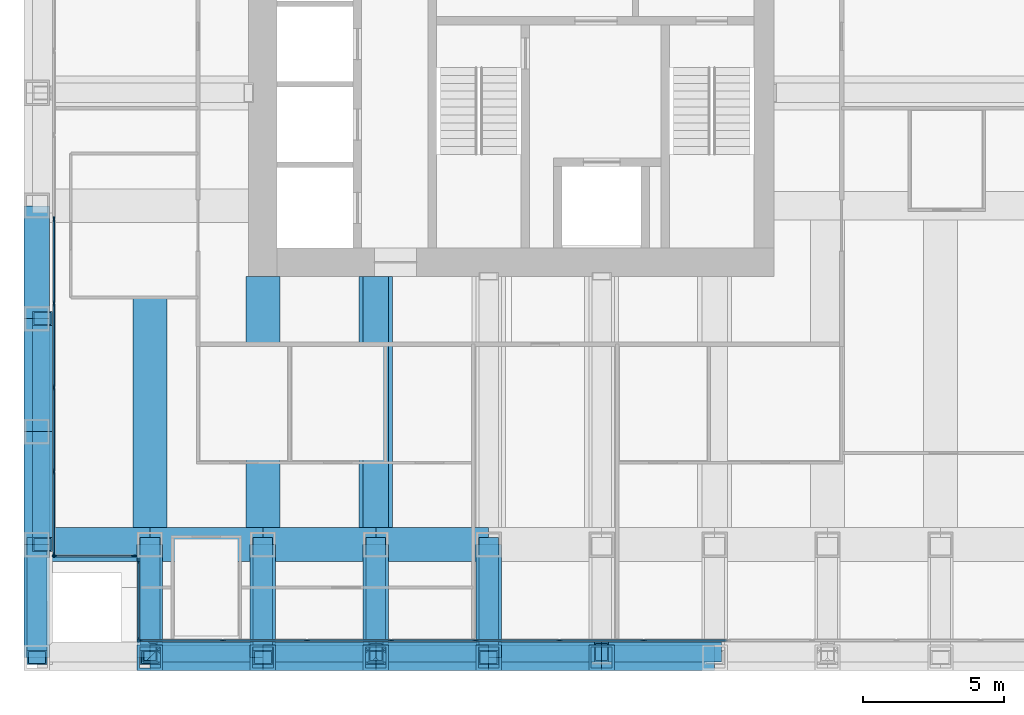
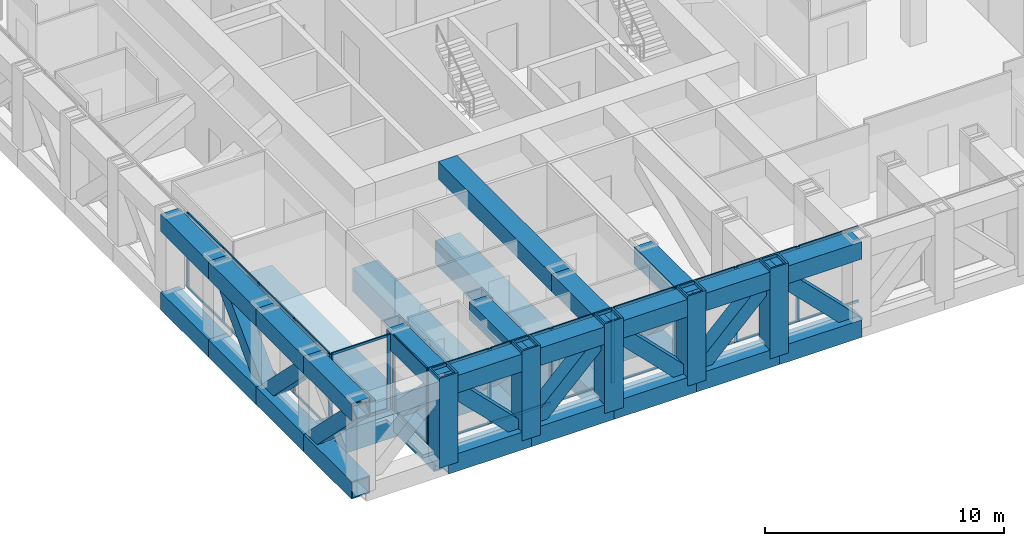
# One storey, part 2 of 17: 59 members, 34 beams, 4 elements without a shape of their own.
"""IFC4 building model written with IfcOpenShell, lengths in metres."""

import ifcopenshell
import ifcopenshell.guid

model = None  # the IFC model being written
_history = None  # IfcOwnerHistory: only IFC2X3 demands one
_inside = {}  # id of a spatial element -> (the spatial element, [elements in it])
_under = {}  # id of a project, library or spatial element -> (it, [spatial elements below it])
_declared = {}  # id of a project -> (the project, [libraries it declares])
_typed = {}  # id of a type object -> (the type object, [elements of that type])
_made_of = {}  # id of a material, layer set ... -> (it, [elements and type objects made of it])


def new_model(schema):
    """Start an empty IFC model of exactly this schema.

    Asked for "IFC4X3", IfcOpenShell would pick the latest addendum, in which some entities
    have other attributes; the version numbers below select the first issue.
    IFC2X3 requires an IfcOwnerHistory on every rooted entity: one is made here for all.
    """
    global model, _history
    if schema == "IFC4X3":
        model = ifcopenshell.file(schema_version=(4, 3, 0, 0))
    else:
        model = ifcopenshell.file(schema=schema)
    _inside.clear()
    _under.clear()
    _declared.clear()
    _typed.clear()
    _made_of.clear()
    _history = None
    if model.schema == "IFC2X3":
        org = make("IfcOrganization", Name="unknown")
        user = make(
            "IfcPersonAndOrganization",
            ThePerson=make("IfcPerson", FamilyName="unknown"),
            TheOrganization=org,
        )
        app = make(
            "IfcApplication",
            ApplicationDeveloper=org,
            Version="unknown",
            ApplicationFullName="unknown",
            ApplicationIdentifier="unknown",
        )
        _history = make(
            "IfcOwnerHistory",
            OwningUser=user,
            OwningApplication=app,
            ChangeAction="ADDED",
            CreationDate=0,
        )
    return model


def make(cls, **values):
    """One entity of the class cls with the attributes given. An attribute that is None is left unset."""
    return model.create_entity(
        cls, **{name: value for name, value in values.items() if value is not None}
    )


def rooted(cls, **values):
    """An entity with a GlobalId (a new one), such as an element, a storey or a relation."""
    return make(cls, GlobalId=ifcopenshell.guid.new(), OwnerHistory=_history, **values)


def si_unit(unit_type, name, prefix=None):
    """IfcSIUnit, for example si_unit("LENGTHUNIT", "METRE", prefix="MILLI")."""
    return make("IfcSIUnit", UnitType=unit_type, Prefix=prefix, Name=name)


def assignment(units):
    """IfcUnitAssignment: the units of a project."""
    return None if units is None else make("IfcUnitAssignment", Units=units)


def point(xyz):
    """IfcCartesianPoint."""
    return None if xyz is None else make("IfcCartesianPoint", Coordinates=xyz)


def direction(xyz):
    """IfcDirection."""
    return None if xyz is None else make("IfcDirection", DirectionRatios=xyz)


def frame(location, z_axis=None, x_axis=None):
    """IfcAxis2Placement3D, a coordinate frame: its origin and axes. An axis left out is left unset."""
    return make(
        "IfcAxis2Placement3D",
        Location=point(location),
        Axis=direction(z_axis),
        RefDirection=direction(x_axis),
    )


def frame_2d(location, x_axis=None):
    """IfcAxis2Placement2D, a coordinate frame in the plane: its origin and x axis."""
    return make(
        "IfcAxis2Placement2D", Location=point(location), RefDirection=direction(x_axis)
    )


def origin():
    """The frame at (0, 0, 0) with its axes left unset."""
    return frame((0.0, 0.0, 0.0))


def origin_2d():
    """The frame at (0, 0) in the plane with its x axis left unset."""
    return frame_2d((0.0, 0.0))


def place(relative_to, where):
    """IfcLocalPlacement: puts the frame where relative to a parent placement (None: the world)."""
    return make(
        "IfcLocalPlacement", PlacementRelTo=relative_to, RelativePlacement=where
    )


def context(
    kind, dimensions, precision=None, world=None, true_north=None, identifier=None
):
    """IfcGeometricRepresentationContext, for example the 3D "Model" context."""
    return make(
        "IfcGeometricRepresentationContext",
        ContextIdentifier=identifier,
        ContextType=kind,
        CoordinateSpaceDimension=dimensions,
        Precision=precision,
        WorldCoordinateSystem=world,
        TrueNorth=true_north,
    )


def subcontext(parent, identifier, kind, view, scale=None):
    """IfcGeometricRepresentationSubContext, for example "Body" below "Model"."""
    return make(
        "IfcGeometricRepresentationSubContext",
        ContextIdentifier=identifier,
        ContextType=kind,
        ParentContext=parent,
        TargetScale=scale,
        TargetView=view,
    )


def project(units=None, contexts=None):
    """IfcProject with its units and contexts."""
    return rooted(
        "IfcProject",
        Name="project",
        RepresentationContexts=contexts,
        UnitsInContext=assignment(units),
    )


def spatial(cls, under=None, at=None, **own):
    """A site, building, storey or space (cls), placed at a placement, below another one or the project."""
    s = rooted(cls, ObjectPlacement=at, **own)
    if under is not None:
        _under.setdefault(under.id(), (under, []))[1].append(s)
    return s


def profile(cls, at=None, kind="AREA", **sizes):
    """A parametric profile (cls). Its sizes go by their IFC names, for example OverallWidth=200.0."""
    return make(cls, ProfileType=kind, Position=at, **sizes)


def rectangle(**sizes):
    """IfcRectangleProfileDef."""
    return profile("IfcRectangleProfileDef", **sizes)


def hollow_rectangle(**sizes):
    """IfcRectangleHollowProfileDef."""
    return profile("IfcRectangleHollowProfileDef", **sizes)


def extrude(swept, where, along, depth):
    """IfcExtrudedAreaSolid: the profile swept, set in the frame where, extruded along a direction by depth."""
    return make(
        "IfcExtrudedAreaSolid",
        SweptArea=swept,
        Position=where,
        ExtrudedDirection=direction(along),
        Depth=depth,
    )


def shape(context_of_items, identifier, shape_type, items):
    """IfcShapeRepresentation: the items that make up one representation, for example the "Body"."""
    return make(
        "IfcShapeRepresentation",
        ContextOfItems=context_of_items,
        RepresentationIdentifier=identifier,
        RepresentationType=shape_type,
        Items=items,
    )


def material(Name=None, Category=None):
    """IfcMaterial."""
    return make("IfcMaterial", Name=Name, Category=Category)


def material_profile(
    of_material, cross_section, Name=None, Category=None, Priority=None
):
    """IfcMaterialProfile: a cross section and its material."""
    return make(
        "IfcMaterialProfile",
        Name=Name,
        Material=of_material,
        Profile=cross_section,
        Priority=Priority,
        Category=Category,
    )


def profile_set(profiles, Name=None, composite=None):
    """IfcMaterialProfileSet."""
    return make(
        "IfcMaterialProfileSet",
        Name=Name,
        MaterialProfiles=profiles,
        CompositeProfile=composite,
    )


def made_of(thing, what):
    """Note that an element or type object is made of a material, layer set ...; save() writes the relation."""
    if what is not None:
        _made_of.setdefault(what.id(), (what, []))[1].append(thing)
    return thing


def type_object(cls, material=None, **own):
    """A type object (cls), such as IfcWallType, which elements share."""
    return made_of(rooted(cls, **own), material)


def element(
    cls,
    number,
    at=None,
    inside=None,
    cuts=None,
    type_object=None,
    material=None,
    context=None,
    identifier="Body",
    shape_type=None,
    held_by="IfcProductDefinitionShape",
    body=None,
    shapes=None,
    **own,
):
    """One element of the class cls, such as IfcWall. Its Tag is "e" and its number.

    at: its placement. inside: the storey or other place that contains it. cuts: it is an
    opening in that element (IfcRelVoidsElement). A single representation is given by context,
    identifier, shape_type and body (its items); several are given by shapes. held_by: the class
    of the entity that holds the representations. save() writes the other relations.
    """
    e = rooted(cls, Tag="e%d" % number, ObjectPlacement=at, **own)
    if body is not None:
        shapes = [shape(context, identifier, shape_type, body)]
    if shapes is not None:
        e.Representation = make(held_by, Representations=shapes)
    if inside is not None:
        _inside.setdefault(inside.id(), (inside, []))[1].append(e)
    if cuts is not None:
        rooted(
            "IfcRelVoidsElement", RelatingBuildingElement=cuts, RelatedOpeningElement=e
        )
    if type_object is not None:
        _typed.setdefault(type_object.id(), (type_object, []))[1].append(e)
    return made_of(e, material)


def aggregate(whole, parts):
    """IfcRelAggregates: a whole, such as a stair, and the parts it consists of."""
    return rooted("IfcRelAggregates", RelatingObject=whole, RelatedObjects=parts)


def save(model, path):
    """Write the relations noted so far, then the file.

    IfcRelAggregates (storeys below a building ...), IfcRelContainedInSpatialStructure (elements
    in a storey), IfcRelDefinesByType, IfcRelAssociatesMaterial and IfcRelDeclares: one each for
    every whole, place, type object, material and project.
    """
    for whole, parts in _under.values():
        aggregate(whole, parts)
    for where, things in _inside.values():
        rooted(
            "IfcRelContainedInSpatialStructure",
            RelatedElements=things,
            RelatingStructure=where,
        )
    for kind, things in _typed.values():
        rooted("IfcRelDefinesByType", RelatedObjects=things, RelatingType=kind)
    for what, things in _made_of.values():
        rooted("IfcRelAssociatesMaterial", RelatedObjects=things, RelatingMaterial=what)
    for by, libraries in _declared.values():
        rooted("IfcRelDeclares", RelatingContext=by, RelatedDefinitions=libraries)
    model.write(path)


model = new_model("IFC4")

# Units and contexts
model_context = context("Model", 3, precision=1e-05, world=origin(), true_north=direction((0.0, 1.0)))
body_context = subcontext(model_context, "Body", "Model", "MODEL_VIEW")
ifc_project = project(units=[si_unit("LENGTHUNIT", "METRE"), si_unit("AREAUNIT", "SQUARE_METRE"), si_unit("VOLUMEUNIT", "CUBIC_METRE"), si_unit("PLANEANGLEUNIT", "RADIAN"), si_unit("MASSUNIT", "GRAM", prefix="KILO")], contexts=[model_context])

# Site, building, storey
site_placement = place(None, origin())
site = spatial("IfcSite", under=ifc_project, at=site_placement, CompositionType="ELEMENT")
building_placement = place(site_placement, origin())
building = spatial("IfcBuilding", under=site, at=building_placement, Name="Rimbunsela Tower", CompositionType="ELEMENT")
storey_placement = place(building_placement, frame((0.0, 0.0, 238.199951171875)))
storey = spatial("IfcBuildingStorey", under=building, at=storey_placement, Name="L57", CompositionType="ELEMENT", Elevation=238.199951171875)

# Beams
ifc_material_1 = material(Name="Steel BJ 55 (fy 410 MPa)", Category="steel")
ifc_material_profile_1 = material_profile(ifc_material_1, hollow_rectangle(XDim=1.199951171875, YDim=1.199951171875, WallThickness=0.10009765625, at=origin_2d()), Name="BOX 1200x1200x100")
ifc_profile_set_1 = profile_set([ifc_material_profile_1], Name="Steel BJ 55 (fy 410 MPa)")
beam_type_1 = type_object("IfcBeamType", Name="Beam BOX 1200x1200x100", PredefinedType="BEAM", material=ifc_profile_set_1)
for number, where, z_axis, x_axis, name in (
    (1, (18.0, 8.0, -0.75), (0.0, 1.0, 0.0), (-1.0, 0.0, 0.0), "Beam B5 L57"),
    (2, (22.0, 8.0, -0.75), (0.0, 1.0, 0.0), (-1.0, 0.0, 0.0), "Beam B5 L57"),
):
    element("IfcBeam", number, at=place(storey_placement, frame(where, z_axis=z_axis, x_axis=x_axis)), inside=storey, type_object=beam_type_1, Name=name, PredefinedType="BEAM", context=body_context, shape_type="SweptSolid", body=[
        extrude(hollow_rectangle(XDim=1.199951171875, YDim=1.199951171875, WallThickness=0.10009765625, at=origin_2d()), origin(), (0.0, 0.0, 1.0), 9.5),
    ])
ifc_material_2 = material(Name="Steel BJ 55 (fy 410 MPa)", Category="steel")
ifc_material_profile_2 = material_profile(ifc_material_2, hollow_rectangle(XDim=1.199951171875, YDim=1.199951171875, WallThickness=0.125, at=origin_2d()), Name="BOX 1200x1200x125")
ifc_profile_set_2 = profile_set([ifc_material_profile_2], Name="Steel BJ 55 (fy 410 MPa)")
beam_type_2 = type_object("IfcBeamType", Name="Beam BOX 1200x1200x125", PredefinedType="BEAM", material=ifc_profile_set_2)
beam_1_placement = place(storey_placement, frame((10.0, 8.0, -0.75), z_axis=(1.0, 0.0, 0.0), x_axis=(0.0, 1.0, 0.0)))
element("IfcBeam", 3, at=beam_1_placement, inside=storey, type_object=beam_type_2, Name="Beam B4 L57", PredefinedType="BEAM", context=body_context, shape_type="SweptSolid", body=[
    extrude(hollow_rectangle(XDim=1.199951171875, YDim=1.199951171875, WallThickness=0.125, at=origin_2d()), origin(), (0.0, 0.0, 1.0), 4.0),
])
beam_2_placement = place(storey_placement, frame((14.0, 8.0, -0.75), z_axis=(0.0, 1.0, 0.0), x_axis=(-1.0, 0.0, 0.0)))
element("IfcBeam", 4, at=beam_2_placement, inside=storey, type_object=beam_type_2, Name="Beam B4 L57", PredefinedType="BEAM", context=body_context, shape_type="SweptSolid", body=[
    extrude(hollow_rectangle(XDim=1.199951171875, YDim=1.199951171875, WallThickness=0.125, at=origin_2d()), origin(), (0.0, 0.0, 1.0), 11.39990234375),
])
for number, where, z_axis, x_axis, name in (
    (5, (14.0, 8.0, -0.75), (1.0, 0.0, 0.0), (0.0, 1.0, 0.0), "Beam B4 L57"),
    (6, (18.0, 8.0, -0.75), (1.0, 0.0, 0.0), (0.0, 1.0, 0.0), "Beam B4 L57"),
    (7, (22.0, 8.0, -0.75), (1.0, 0.0, 0.0), (0.0, 1.0, 0.0), "Beam B4 L57"),
):
    element("IfcBeam", number, at=place(storey_placement, frame(where, z_axis=z_axis, x_axis=x_axis)), inside=storey, type_object=beam_type_2, Name=name, PredefinedType="BEAM", context=body_context, shape_type="SweptSolid", body=[
        extrude(hollow_rectangle(XDim=1.199951171875, YDim=1.199951171875, WallThickness=0.125, at=origin_2d()), origin(), (0.0, 0.0, 1.0), 4.0),
    ])

# Curtain wall, members
ifc_material_3 = material(Name="Aluminium curtain wall", Category="aluminium")
curtain_wall_type_1 = type_object("IfcCurtainWallType", Name="Exoskeleton storey infill", PredefinedType="USERDEFINED", material=ifc_material_3)
curtain_wall_1_placement = place(storey_placement, origin())
curtain_wall_1 = element("IfcCurtainWall", 8, at=curtain_wall_1_placement, inside=storey, type_object=curtain_wall_type_1, Name="Exoskeleton storey infill L57", ObjectType="EXOSKELETON STOREY INFILL", PredefinedType="USERDEFINED")
ifc_material_4 = material(Name="Aluminium mullion", Category="aluminium")
ifc_material_profile_3 = material_profile(ifc_material_4, rectangle(XDim=0.06005859375, YDim=0.159912109375, at=origin_2d()), Name="Mullion 60x160")
ifc_profile_set_3 = profile_set([ifc_material_profile_3], Name="Aluminium mullion")
member_type_1 = type_object("IfcMemberType", Name="Curtain wall mullion 60x160", PredefinedType="MULLION", material=ifc_profile_set_3)
member_1_placement = place(storey_placement, frame((10.60009765625, 19.52734375, 0.0), z_axis=(0.0, 0.0, 1.0), x_axis=(1.0, 0.0, 0.0)))
member_1 = element("IfcMember", 9, at=member_1_placement, type_object=member_type_1, Name="CW2 mullion 8", PredefinedType="MULLION", context=body_context, shape_type="SweptSolid", body=[
    extrude(rectangle(XDim=0.06005859375, YDim=0.159912109375, at=origin_2d()), origin(), (0.0, 0.0, 1.0), 3.85009765625),
])
member_2_placement = place(storey_placement, frame((10.60009765625, 16.54541015625, 0.0), z_axis=(0.0, 0.0, 1.0), x_axis=(1.0, 0.0, 0.0)))
member_2 = element("IfcMember", 10, at=member_2_placement, type_object=member_type_1, Name="CW2 mullion 9", PredefinedType="MULLION", context=body_context, shape_type="SweptSolid", body=[
    extrude(rectangle(XDim=0.06005859375, YDim=0.159912109375, at=origin_2d()), origin(), (0.0, 0.0, 1.0), 3.85009765625),
])
member_3_placement = place(storey_placement, frame((10.60009765625, 13.563720703125, 0.0), z_axis=(0.0, 0.0, 1.0), x_axis=(1.0, 0.0, 0.0)))
member_3 = element("IfcMember", 11, at=member_3_placement, type_object=member_type_1, Name="CW2 mullion 10", PredefinedType="MULLION", context=body_context, shape_type="SweptSolid", body=[
    extrude(rectangle(XDim=0.06005859375, YDim=0.159912109375, at=origin_2d()), origin(), (0.0, 0.0, 1.0), 3.85009765625),
])
member_4_placement = place(storey_placement, frame((10.60009765625, 10.581787109375, 0.0), z_axis=(0.0, 0.0, 1.0), x_axis=(1.0, 0.0, 0.0)))
member_4 = element("IfcMember", 12, at=member_4_placement, type_object=member_type_1, Name="CW2 mullion 11", PredefinedType="MULLION", context=body_context, shape_type="SweptSolid", body=[
    extrude(rectangle(XDim=0.06005859375, YDim=0.159912109375, at=origin_2d()), origin(), (0.0, 0.0, 1.0), 3.85009765625),
])
member_5_placement = place(storey_placement, frame((10.60009765625, 7.6298828125, 0.0), z_axis=(0.0, 0.0, 1.0), x_axis=(1.0, 0.0, 0.0)))
member_5 = element("IfcMember", 13, at=member_5_placement, type_object=member_type_1, Name="CW2 mullion 12", PredefinedType="MULLION", context=body_context, shape_type="SweptSolid", body=[
    extrude(rectangle(XDim=0.06005859375, YDim=0.159912109375, at=origin_2d()), origin(), (0.0, 0.0, 1.0), 3.85009765625),
])

ifc_material_5 = material(Name="Aluminium curtain wall", Category="aluminium")
curtain_wall_type_2 = type_object("IfcCurtainWallType", Name="Corner glazing", PredefinedType="USERDEFINED", material=ifc_material_5)
curtain_wall_2_placement = place(storey_placement, origin())
curtain_wall_2 = element("IfcCurtainWall", 14, at=curtain_wall_2_placement, inside=storey, type_object=curtain_wall_type_2, Name="Corner glazing L57", ObjectType="CORNER GLAZING", PredefinedType="USERDEFINED")
member_6_placement = place(storey_placement, frame((10.6298828125, 7.60009765625, 0.0), z_axis=(0.0, 0.0, 1.0), x_axis=(0.0, 1.0, 0.0)))
member_6 = element("IfcMember", 15, at=member_6_placement, type_object=member_type_1, Name="CW5 mullion 1", PredefinedType="MULLION", context=body_context, shape_type="SweptSolid", body=[
    extrude(rectangle(XDim=0.06005859375, YDim=0.159912109375, at=origin_2d()), origin(), (0.0, 0.0, 1.0), 3.85009765625),
])
member_7_placement = place(storey_placement, frame((13.419921875, 7.60009765625, 0.0), z_axis=(0.0, 0.0, 1.0), x_axis=(0.0, 1.0, 0.0)))
member_7 = element("IfcMember", 16, at=member_7_placement, type_object=member_type_1, Name="CW5 mullion 2", PredefinedType="MULLION", context=body_context, shape_type="SweptSolid", body=[
    extrude(rectangle(XDim=0.06005859375, YDim=0.159912109375, at=origin_2d()), origin(), (0.0, 0.0, 1.0), 3.85009765625),
])

ifc_material_6 = material(Name="Aluminium curtain wall", Category="aluminium")
curtain_wall_type_3 = type_object("IfcCurtainWallType", Name="Spandrel wall", PredefinedType="USERDEFINED", material=ifc_material_6)
curtain_wall_3_placement = place(storey_placement, origin())
curtain_wall_3 = element("IfcCurtainWall", 17, at=curtain_wall_3_placement, inside=storey, type_object=curtain_wall_type_3, Name="Spandrel wall L57", ObjectType="SPANDREL WALL", PredefinedType="USERDEFINED")
member_8_placement = place(storey_placement, frame((13.60009765625, 7.419921875, 0.0), z_axis=(0.0, 0.0, 1.0), x_axis=(1.0, 0.0, 0.0)))
member_8 = element("IfcMember", 18, at=member_8_placement, type_object=member_type_1, Name="CW7 mullion 1", PredefinedType="MULLION", context=body_context, shape_type="SweptSolid", body=[
    extrude(rectangle(XDim=0.06005859375, YDim=0.159912109375, at=origin_2d()), origin(), (0.0, 0.0, 1.0), 3.85009765625),
])
member_9_placement = place(storey_placement, frame((13.60009765625, 4.6298828125, 0.0), z_axis=(0.0, 0.0, 1.0), x_axis=(1.0, 0.0, 0.0)))
member_9 = element("IfcMember", 19, at=member_9_placement, type_object=member_type_1, Name="CW7 mullion 2", PredefinedType="MULLION", context=body_context, shape_type="SweptSolid", body=[
    extrude(rectangle(XDim=0.06005859375, YDim=0.159912109375, at=origin_2d()), origin(), (0.0, 0.0, 1.0), 3.85009765625),
])

curtain_wall_4_placement = place(storey_placement, origin())
curtain_wall_4 = element("IfcCurtainWall", 20, at=curtain_wall_4_placement, inside=storey, type_object=curtain_wall_type_1, Name="Exoskeleton storey infill L57", ObjectType="EXOSKELETON STOREY INFILL", PredefinedType="USERDEFINED")
member_10_placement = place(storey_placement, frame((13.6298828125, 4.60009765625, 0.0), z_axis=(0.0, 0.0, 1.0), x_axis=(0.0, 1.0, 0.0)))
member_10 = element("IfcMember", 21, at=member_10_placement, type_object=member_type_1, Name="CW2 mullion 1", PredefinedType="MULLION", context=body_context, shape_type="SweptSolid", body=[
    extrude(rectangle(XDim=0.06005859375, YDim=0.159912109375, at=origin_2d()), origin(), (0.0, 0.0, 1.0), 3.85009765625),
])
member_11_placement = place(storey_placement, frame((16.581787109375, 4.60009765625, 0.0), z_axis=(0.0, 0.0, 1.0), x_axis=(0.0, 1.0, 0.0)))
member_11 = element("IfcMember", 22, at=member_11_placement, type_object=member_type_1, Name="CW2 mullion 2", PredefinedType="MULLION", context=body_context, shape_type="SweptSolid", body=[
    extrude(rectangle(XDim=0.06005859375, YDim=0.159912109375, at=origin_2d()), origin(), (0.0, 0.0, 1.0), 3.85009765625),
])
member_12_placement = place(storey_placement, frame((19.563720703125, 4.60009765625, 0.0), z_axis=(0.0, 0.0, 1.0), x_axis=(0.0, 1.0, 0.0)))
member_12 = element("IfcMember", 23, at=member_12_placement, type_object=member_type_1, Name="CW2 mullion 3", PredefinedType="MULLION", context=body_context, shape_type="SweptSolid", body=[
    extrude(rectangle(XDim=0.06005859375, YDim=0.159912109375, at=origin_2d()), origin(), (0.0, 0.0, 1.0), 3.85009765625),
])
member_13_placement = place(storey_placement, frame((22.54541015625, 4.60009765625, 0.0), z_axis=(0.0, 0.0, 1.0), x_axis=(0.0, 1.0, 0.0)))
member_13 = element("IfcMember", 24, at=member_13_placement, type_object=member_type_1, Name="CW2 mullion 4", PredefinedType="MULLION", context=body_context, shape_type="SweptSolid", body=[
    extrude(rectangle(XDim=0.06005859375, YDim=0.159912109375, at=origin_2d()), origin(), (0.0, 0.0, 1.0), 3.85009765625),
])
member_14_placement = place(storey_placement, frame((25.52734375, 4.60009765625, 0.0), z_axis=(0.0, 0.0, 1.0), x_axis=(0.0, 1.0, 0.0)))
member_14 = element("IfcMember", 25, at=member_14_placement, type_object=member_type_1, Name="CW2 mullion 5", PredefinedType="MULLION", context=body_context, shape_type="SweptSolid", body=[
    extrude(rectangle(XDim=0.06005859375, YDim=0.159912109375, at=origin_2d()), origin(), (0.0, 0.0, 1.0), 3.85009765625),
])
member_15_placement = place(storey_placement, frame((28.509033203125, 4.60009765625, 0.0), z_axis=(0.0, 0.0, 1.0), x_axis=(0.0, 1.0, 0.0)))
member_15 = element("IfcMember", 26, at=member_15_placement, type_object=member_type_1, Name="CW2 mullion 6", PredefinedType="MULLION", context=body_context, shape_type="SweptSolid", body=[
    extrude(rectangle(XDim=0.06005859375, YDim=0.159912109375, at=origin_2d()), origin(), (0.0, 0.0, 1.0), 3.85009765625),
])
member_16_placement = place(storey_placement, frame((31.490966796875, 4.60009765625, 0.0), z_axis=(0.0, 0.0, 1.0), x_axis=(0.0, 1.0, 0.0)))
member_16 = element("IfcMember", 27, at=member_16_placement, type_object=member_type_1, Name="CW2 mullion 7", PredefinedType="MULLION", context=body_context, shape_type="SweptSolid", body=[
    extrude(rectangle(XDim=0.06005859375, YDim=0.159912109375, at=origin_2d()), origin(), (0.0, 0.0, 1.0), 3.85009765625),
])

# Member
ifc_material_7 = material(Name="Aluminium transom", Category="aluminium")
ifc_material_profile_4 = material_profile(ifc_material_7, rectangle(XDim=0.06005859375, YDim=0.1201171875, at=origin_2d()), Name="Transom 60x120")
ifc_profile_set_4 = profile_set([ifc_material_profile_4], Name="Aluminium transom")
member_type_2 = type_object("IfcMemberType", Name="Curtain wall transom 60x120", PredefinedType="USERDEFINED", material=ifc_profile_set_4)
member_17_placement = place(storey_placement, frame((10.60009765625, 19.497314453125, 0.030029296875), z_axis=(0.0, -1.0, 0.0), x_axis=(1.0, 0.0, 0.0)))
member_17 = element("IfcMember", 28, at=member_17_placement, type_object=member_type_2, Name="CW2 transom 8.1", ObjectType="TRANSOM", PredefinedType="USERDEFINED", context=body_context, shape_type="SweptSolid", body=[
    extrude(rectangle(XDim=0.06005859375, YDim=0.1201171875, at=origin_2d()), origin(), (0.0, 0.0, 1.0), 2.921875),
])

member_18_placement = place(storey_placement, frame((10.60009765625, 19.497314453125, 3.820068359375), z_axis=(0.0, -1.0, 0.0), x_axis=(1.0, 0.0, 0.0)))
member_18 = element("IfcMember", 29, at=member_18_placement, type_object=member_type_2, Name="CW2 transom 8.2", ObjectType="TRANSOM", PredefinedType="USERDEFINED", context=body_context, shape_type="SweptSolid", body=[
    extrude(rectangle(XDim=0.06005859375, YDim=0.1201171875, at=origin_2d()), origin(), (0.0, 0.0, 1.0), 2.921875),
])

member_19_placement = place(storey_placement, frame((10.60009765625, 16.515380859375, 0.030029296875), z_axis=(0.0, -1.0, 0.0), x_axis=(1.0, 0.0, 0.0)))
member_19 = element("IfcMember", 30, at=member_19_placement, type_object=member_type_2, Name="CW2 transom 9.1", ObjectType="TRANSOM", PredefinedType="USERDEFINED", context=body_context, shape_type="SweptSolid", body=[
    extrude(rectangle(XDim=0.06005859375, YDim=0.1201171875, at=origin_2d()), origin(), (0.0, 0.0, 1.0), 2.921630859375),
])

member_20_placement = place(storey_placement, frame((10.60009765625, 16.515380859375, 3.820068359375), z_axis=(0.0, -1.0, 0.0), x_axis=(1.0, 0.0, 0.0)))
member_20 = element("IfcMember", 31, at=member_20_placement, type_object=member_type_2, Name="CW2 transom 9.2", ObjectType="TRANSOM", PredefinedType="USERDEFINED", context=body_context, shape_type="SweptSolid", body=[
    extrude(rectangle(XDim=0.06005859375, YDim=0.1201171875, at=origin_2d()), origin(), (0.0, 0.0, 1.0), 2.921630859375),
])

member_21_placement = place(storey_placement, frame((10.60009765625, 13.53369140625, 0.030029296875), z_axis=(0.0, -1.0, 0.0), x_axis=(1.0, 0.0, 0.0)))
member_21 = element("IfcMember", 32, at=member_21_placement, type_object=member_type_2, Name="CW2 transom 10.1", ObjectType="TRANSOM", PredefinedType="USERDEFINED", context=body_context, shape_type="SweptSolid", body=[
    extrude(rectangle(XDim=0.06005859375, YDim=0.1201171875, at=origin_2d()), origin(), (0.0, 0.0, 1.0), 2.921875),
])

member_22_placement = place(storey_placement, frame((10.60009765625, 13.53369140625, 3.820068359375), z_axis=(0.0, -1.0, 0.0), x_axis=(1.0, 0.0, 0.0)))
member_22 = element("IfcMember", 33, at=member_22_placement, type_object=member_type_2, Name="CW2 transom 10.2", ObjectType="TRANSOM", PredefinedType="USERDEFINED", context=body_context, shape_type="SweptSolid", body=[
    extrude(rectangle(XDim=0.06005859375, YDim=0.1201171875, at=origin_2d()), origin(), (0.0, 0.0, 1.0), 2.921875),
])

member_23_placement = place(storey_placement, frame((10.60009765625, 10.5517578125, 0.030029296875), z_axis=(0.0, -1.0, 0.0), x_axis=(1.0, 0.0, 0.0)))
member_23 = element("IfcMember", 34, at=member_23_placement, type_object=member_type_2, Name="CW2 transom 11.1", ObjectType="TRANSOM", PredefinedType="USERDEFINED", context=body_context, shape_type="SweptSolid", body=[
    extrude(rectangle(XDim=0.06005859375, YDim=0.1201171875, at=origin_2d()), origin(), (0.0, 0.0, 1.0), 2.891845703125),
])

member_24_placement = place(storey_placement, frame((10.60009765625, 10.5517578125, 3.820068359375), z_axis=(0.0, -1.0, 0.0), x_axis=(1.0, 0.0, 0.0)))
member_24 = element("IfcMember", 35, at=member_24_placement, type_object=member_type_2, Name="CW2 transom 11.2", ObjectType="TRANSOM", PredefinedType="USERDEFINED", context=body_context, shape_type="SweptSolid", body=[
    extrude(rectangle(XDim=0.06005859375, YDim=0.1201171875, at=origin_2d()), origin(), (0.0, 0.0, 1.0), 2.891845703125),
])

aggregate(curtain_wall_1, [member_1, member_2, member_3, member_4, member_5, member_17, member_18, member_19, member_20, member_21, member_22, member_23, member_24])

member_25_placement = place(storey_placement, frame((10.659912109375, 7.60009765625, 0.030029296875), z_axis=(1.0, 0.0, 0.0), x_axis=(0.0, 1.0, 0.0)))
member_25 = element("IfcMember", 36, at=member_25_placement, type_object=member_type_2, Name="CW5 transom 1.1", ObjectType="TRANSOM", PredefinedType="USERDEFINED", context=body_context, shape_type="SweptSolid", body=[
    extrude(rectangle(XDim=0.06005859375, YDim=0.1201171875, at=origin_2d()), origin(), (0.0, 0.0, 1.0), 2.72998046875),
])

member_26_placement = place(storey_placement, frame((10.659912109375, 7.60009765625, 3.820068359375), z_axis=(1.0, 0.0, 0.0), x_axis=(0.0, 1.0, 0.0)))
member_26 = element("IfcMember", 37, at=member_26_placement, type_object=member_type_2, Name="CW5 transom 1.2", ObjectType="TRANSOM", PredefinedType="USERDEFINED", context=body_context, shape_type="SweptSolid", body=[
    extrude(rectangle(XDim=0.06005859375, YDim=0.1201171875, at=origin_2d()), origin(), (0.0, 0.0, 1.0), 2.72998046875),
])

aggregate(curtain_wall_2, [member_6, member_7, member_25, member_26])

member_27_placement = place(storey_placement, frame((13.60009765625, 7.389892578125, 0.030029296875), z_axis=(0.0, -1.0, 0.0), x_axis=(1.0, 0.0, 0.0)))
member_27 = element("IfcMember", 38, at=member_27_placement, type_object=member_type_2, Name="CW7 transom 1.1", ObjectType="TRANSOM", PredefinedType="USERDEFINED", context=body_context, shape_type="SweptSolid", body=[
    extrude(rectangle(XDim=0.06005859375, YDim=0.1201171875, at=origin_2d()), origin(), (0.0, 0.0, 1.0), 2.72998046875),
])

member_28_placement = place(storey_placement, frame((13.60009765625, 7.389892578125, 3.820068359375), z_axis=(0.0, -1.0, 0.0), x_axis=(1.0, 0.0, 0.0)))
member_28 = element("IfcMember", 39, at=member_28_placement, type_object=member_type_2, Name="CW7 transom 1.2", ObjectType="TRANSOM", PredefinedType="USERDEFINED", context=body_context, shape_type="SweptSolid", body=[
    extrude(rectangle(XDim=0.06005859375, YDim=0.1201171875, at=origin_2d()), origin(), (0.0, 0.0, 1.0), 2.72998046875),
])

aggregate(curtain_wall_3, [member_8, member_9, member_27, member_28])

member_29_placement = place(storey_placement, frame((13.659912109375, 4.60009765625, 0.030029296875), z_axis=(1.0, 0.0, 0.0), x_axis=(0.0, 1.0, 0.0)))
member_29 = element("IfcMember", 40, at=member_29_placement, type_object=member_type_2, Name="CW2 transom 1.1", ObjectType="TRANSOM", PredefinedType="USERDEFINED", context=body_context, shape_type="SweptSolid", body=[
    extrude(rectangle(XDim=0.06005859375, YDim=0.1201171875, at=origin_2d()), origin(), (0.0, 0.0, 1.0), 2.891845703125),
])

member_30_placement = place(storey_placement, frame((13.659912109375, 4.60009765625, 3.820068359375), z_axis=(1.0, 0.0, 0.0), x_axis=(0.0, 1.0, 0.0)))
member_30 = element("IfcMember", 41, at=member_30_placement, type_object=member_type_2, Name="CW2 transom 1.2", ObjectType="TRANSOM", PredefinedType="USERDEFINED", context=body_context, shape_type="SweptSolid", body=[
    extrude(rectangle(XDim=0.06005859375, YDim=0.1201171875, at=origin_2d()), origin(), (0.0, 0.0, 1.0), 2.891845703125),
])

member_31_placement = place(storey_placement, frame((16.61181640625, 4.60009765625, 0.030029296875), z_axis=(1.0, 0.0, 0.0), x_axis=(0.0, 1.0, 0.0)))
member_31 = element("IfcMember", 42, at=member_31_placement, type_object=member_type_2, Name="CW2 transom 2.1", ObjectType="TRANSOM", PredefinedType="USERDEFINED", context=body_context, shape_type="SweptSolid", body=[
    extrude(rectangle(XDim=0.06005859375, YDim=0.1201171875, at=origin_2d()), origin(), (0.0, 0.0, 1.0), 2.921875),
])

member_32_placement = place(storey_placement, frame((16.61181640625, 4.60009765625, 3.820068359375), z_axis=(1.0, 0.0, 0.0), x_axis=(0.0, 1.0, 0.0)))
member_32 = element("IfcMember", 43, at=member_32_placement, type_object=member_type_2, Name="CW2 transom 2.2", ObjectType="TRANSOM", PredefinedType="USERDEFINED", context=body_context, shape_type="SweptSolid", body=[
    extrude(rectangle(XDim=0.06005859375, YDim=0.1201171875, at=origin_2d()), origin(), (0.0, 0.0, 1.0), 2.921875),
])

member_33_placement = place(storey_placement, frame((19.59375, 4.60009765625, 0.030029296875), z_axis=(1.0, 0.0, 0.0), x_axis=(0.0, 1.0, 0.0)))
member_33 = element("IfcMember", 44, at=member_33_placement, type_object=member_type_2, Name="CW2 transom 3.1", ObjectType="TRANSOM", PredefinedType="USERDEFINED", context=body_context, shape_type="SweptSolid", body=[
    extrude(rectangle(XDim=0.06005859375, YDim=0.1201171875, at=origin_2d()), origin(), (0.0, 0.0, 1.0), 2.921630859375),
])

member_34_placement = place(storey_placement, frame((19.59375, 4.60009765625, 3.820068359375), z_axis=(1.0, 0.0, 0.0), x_axis=(0.0, 1.0, 0.0)))
member_34 = element("IfcMember", 45, at=member_34_placement, type_object=member_type_2, Name="CW2 transom 3.2", ObjectType="TRANSOM", PredefinedType="USERDEFINED", context=body_context, shape_type="SweptSolid", body=[
    extrude(rectangle(XDim=0.06005859375, YDim=0.1201171875, at=origin_2d()), origin(), (0.0, 0.0, 1.0), 2.921630859375),
])

member_35_placement = place(storey_placement, frame((22.575439453125, 4.60009765625, 0.030029296875), z_axis=(1.0, 0.0, 0.0), x_axis=(0.0, 1.0, 0.0)))
member_35 = element("IfcMember", 46, at=member_35_placement, type_object=member_type_2, Name="CW2 transom 4.1", ObjectType="TRANSOM", PredefinedType="USERDEFINED", context=body_context, shape_type="SweptSolid", body=[
    extrude(rectangle(XDim=0.06005859375, YDim=0.1201171875, at=origin_2d()), origin(), (0.0, 0.0, 1.0), 2.921875),
])

member_36_placement = place(storey_placement, frame((22.575439453125, 4.60009765625, 3.820068359375), z_axis=(1.0, 0.0, 0.0), x_axis=(0.0, 1.0, 0.0)))
member_36 = element("IfcMember", 47, at=member_36_placement, type_object=member_type_2, Name="CW2 transom 4.2", ObjectType="TRANSOM", PredefinedType="USERDEFINED", context=body_context, shape_type="SweptSolid", body=[
    extrude(rectangle(XDim=0.06005859375, YDim=0.1201171875, at=origin_2d()), origin(), (0.0, 0.0, 1.0), 2.921875),
])

member_37_placement = place(storey_placement, frame((25.557373046875, 4.60009765625, 0.030029296875), z_axis=(1.0, 0.0, 0.0), x_axis=(0.0, 1.0, 0.0)))
member_37 = element("IfcMember", 48, at=member_37_placement, type_object=member_type_2, Name="CW2 transom 5.1", ObjectType="TRANSOM", PredefinedType="USERDEFINED", context=body_context, shape_type="SweptSolid", body=[
    extrude(rectangle(XDim=0.06005859375, YDim=0.1201171875, at=origin_2d()), origin(), (0.0, 0.0, 1.0), 2.921630859375),
])

member_38_placement = place(storey_placement, frame((25.557373046875, 4.60009765625, 3.820068359375), z_axis=(1.0, 0.0, 0.0), x_axis=(0.0, 1.0, 0.0)))
member_38 = element("IfcMember", 49, at=member_38_placement, type_object=member_type_2, Name="CW2 transom 5.2", ObjectType="TRANSOM", PredefinedType="USERDEFINED", context=body_context, shape_type="SweptSolid", body=[
    extrude(rectangle(XDim=0.06005859375, YDim=0.1201171875, at=origin_2d()), origin(), (0.0, 0.0, 1.0), 2.921630859375),
])

member_39_placement = place(storey_placement, frame((28.5390625, 4.60009765625, 0.030029296875), z_axis=(1.0, 0.0, 0.0), x_axis=(0.0, 1.0, 0.0)))
member_39 = element("IfcMember", 50, at=member_39_placement, type_object=member_type_2, Name="CW2 transom 6.1", ObjectType="TRANSOM", PredefinedType="USERDEFINED", context=body_context, shape_type="SweptSolid", body=[
    extrude(rectangle(XDim=0.06005859375, YDim=0.1201171875, at=origin_2d()), origin(), (0.0, 0.0, 1.0), 2.921875),
])

member_40_placement = place(storey_placement, frame((28.5390625, 4.60009765625, 3.820068359375), z_axis=(1.0, 0.0, 0.0), x_axis=(0.0, 1.0, 0.0)))
member_40 = element("IfcMember", 51, at=member_40_placement, type_object=member_type_2, Name="CW2 transom 6.2", ObjectType="TRANSOM", PredefinedType="USERDEFINED", context=body_context, shape_type="SweptSolid", body=[
    extrude(rectangle(XDim=0.06005859375, YDim=0.1201171875, at=origin_2d()), origin(), (0.0, 0.0, 1.0), 2.921875),
])

member_41_placement = place(storey_placement, frame((31.52099609375, 4.60009765625, 0.030029296875), z_axis=(1.0, 0.0, 0.0), x_axis=(0.0, 1.0, 0.0)))
member_41 = element("IfcMember", 52, at=member_41_placement, type_object=member_type_2, Name="CW2 transom 7.1", ObjectType="TRANSOM", PredefinedType="USERDEFINED", context=body_context, shape_type="SweptSolid", body=[
    extrude(rectangle(XDim=0.06005859375, YDim=0.1201171875, at=origin_2d()), origin(), (0.0, 0.0, 1.0), 2.921630859375),
])

member_42_placement = place(storey_placement, frame((31.52099609375, 4.60009765625, 3.820068359375), z_axis=(1.0, 0.0, 0.0), x_axis=(0.0, 1.0, 0.0)))
member_42 = element("IfcMember", 53, at=member_42_placement, type_object=member_type_2, Name="CW2 transom 7.2", ObjectType="TRANSOM", PredefinedType="USERDEFINED", context=body_context, shape_type="SweptSolid", body=[
    extrude(rectangle(XDim=0.06005859375, YDim=0.1201171875, at=origin_2d()), origin(), (0.0, 0.0, 1.0), 2.921630859375),
])

aggregate(curtain_wall_4, [member_10, member_11, member_12, member_13, member_14, member_15, member_16, member_29, member_30, member_31, member_32, member_33, member_34, member_35, member_36, member_37, member_38, member_39, member_40, member_41, member_42])

# Beams
ifc_material_8 = material(Name="Steel BJ 55 (fy 410 MPa)", Category="steel")
ifc_material_profile_5 = material_profile(ifc_material_8, hollow_rectangle(XDim=0.89990234375, YDim=0.89990234375, WallThickness=0.06005859375, at=origin_2d()), Name="BOX 900x900x60")
ifc_profile_set_5 = profile_set([ifc_material_profile_5], Name="Steel BJ 55 (fy 410 MPa)")
beam_type_3 = type_object("IfcBeamType", Name="Truss chord BOX 900x900x60", PredefinedType="USERDEFINED", material=ifc_profile_set_5)
for number, where, z_axis, x_axis, name in (
    (54, (14.0, 4.0, 3.400146484375), (1.0, 0.0, 0.0), (0.0, 1.0, 0.0), "Truss top chord TC4 S face L57"),
    (55, (18.0, 4.0, 3.400146484375), (1.0, 0.0, 0.0), (0.0, 1.0, 0.0), "Truss top chord TC4 S face L57"),
    (56, (22.0, 4.0, 3.400146484375), (1.0, 0.0, 0.0), (0.0, 1.0, 0.0), "Truss top chord TC4 S face L57"),
    (57, (26.0, 4.0, 3.400146484375), (1.0, 0.0, 0.0), (0.0, 1.0, 0.0), "Truss top chord TC4 S face L57"),
    (58, (30.0, 4.0, 3.400146484375), (1.0, 0.0, 0.0), (0.0, 1.0, 0.0), "Truss top chord TC4 S face L57"),
    (59, (10.0, 4.0, 3.400146484375), (0.0, 1.0, 0.0), (-1.0, 0.0, 0.0), "Truss top chord TC4 W face L57"),
    (60, (10.0, 8.0, 3.400146484375), (0.0, 1.0, 0.0), (-1.0, 0.0, 0.0), "Truss top chord TC4 W face L57"),
    (61, (10.0, 12.0, 3.400146484375), (0.0, 1.0, 0.0), (-1.0, 0.0, 0.0), "Truss top chord TC4 W face L57"),
    (62, (10.0, 16.0, 3.400146484375), (0.0, 1.0, 0.0), (-1.0, 0.0, 0.0), "Truss top chord TC4 W face L57"),
    (63, (10.0, 8.0, -0.599853515625), (0.0, 1.0, 0.0), (-1.0, 0.0, 0.0), "Truss bottom chord TC4 W face L57"),
    (64, (10.0, 12.0, -0.599853515625), (0.0, 1.0, 0.0), (-1.0, 0.0, 0.0), "Truss bottom chord TC4 W face L57"),
    (65, (10.0, 16.0, -0.599853515625), (0.0, 1.0, 0.0), (-1.0, 0.0, 0.0), "Truss bottom chord TC4 W face L57"),
    (66, (10.0, 4.0, -0.599853515625), (0.0, 1.0, 0.0), (-1.0, 0.0, 0.0), "Truss bottom chord TC4 W face L57"),
    (67, (14.0, 8.0, -0.599853515625), (0.0, -1.0, 0.0), (1.0, 0.0, 0.0), "Cantilever truss bottom chord TC4 6/C L57"),
    (68, (14.0, 8.0, 3.400146484375), (0.0, -1.0, 0.0), (1.0, 0.0, 0.0), "Cantilever truss top chord TC4 6/C L57"),
    (69, (18.0, 8.0, -0.599853515625), (0.0, -1.0, 0.0), (1.0, 0.0, 0.0), "Cantilever truss bottom chord TC4 7/C L57"),
    (70, (18.0, 8.0, 3.400146484375), (0.0, -1.0, 0.0), (1.0, 0.0, 0.0), "Cantilever truss top chord TC4 7/C L57"),
    (71, (22.0, 8.0, -0.599853515625), (0.0, -1.0, 0.0), (1.0, 0.0, 0.0), "Cantilever truss bottom chord TC4 8/C L57"),
):
    element("IfcBeam", number, at=place(storey_placement, frame(where, z_axis=z_axis, x_axis=x_axis)), inside=storey, type_object=beam_type_3, Name=name, ObjectType="TRUSS CHORD", PredefinedType="USERDEFINED", context=body_context, shape_type="SweptSolid", body=[
        extrude(hollow_rectangle(XDim=0.89990234375, YDim=0.89990234375, WallThickness=0.06005859375, at=origin_2d()), origin(), (0.0, 0.0, 1.0), 4.0),
    ])
beam_3_placement = place(storey_placement, frame((22.0, 17.5, 3.400146484375), z_axis=(0.0, -1.0, 0.0), x_axis=(1.0, 0.0, 0.0)))
element("IfcBeam", 72, at=beam_3_placement, inside=storey, type_object=beam_type_3, Name="Cantilever truss top chord TC4 8/C L57", ObjectType="TRUSS CHORD", PredefinedType="USERDEFINED", context=body_context, shape_type="SweptSolid", body=[
    extrude(hollow_rectangle(XDim=0.89990234375, YDim=0.89990234375, WallThickness=0.06005859375, at=origin_2d()), origin(), (0.0, 0.0, 1.0), 9.5),
])
for number, where, z_axis, x_axis, name in (
    (73, (22.0, 8.0, 3.400146484375), (0.0, -1.0, 0.0), (1.0, 0.0, 0.0), "Cantilever truss top chord TC4 8/C L57"),
    (74, (26.0, 8.0, -0.599853515625), (0.0, -1.0, 0.0), (1.0, 0.0, 0.0), "Cantilever truss bottom chord TC4 9/C L57"),
    (75, (26.0, 8.0, 3.400146484375), (0.0, -1.0, 0.0), (1.0, 0.0, 0.0), "Cantilever truss top chord TC4 9/C L57"),
    (76, (14.0, 4.0, -0.599853515625), (1.0, 0.0, 0.0), (0.0, 1.0, 0.0), "Truss bottom chord TC4 S face L57"),
    (77, (18.0, 4.0, -0.599853515625), (1.0, 0.0, 0.0), (0.0, 1.0, 0.0), "Truss bottom chord TC4 S face L57"),
    (78, (22.0, 4.0, -0.599853515625), (1.0, 0.0, 0.0), (0.0, 1.0, 0.0), "Truss bottom chord TC4 S face L57"),
    (79, (26.0, 4.0, -0.599853515625), (1.0, 0.0, 0.0), (0.0, 1.0, 0.0), "Truss bottom chord TC4 S face L57"),
    (80, (30.0, 4.0, -0.599853515625), (1.0, 0.0, 0.0), (0.0, 1.0, 0.0), "Truss bottom chord TC4 S face L57"),
):
    element("IfcBeam", number, at=place(storey_placement, frame(where, z_axis=z_axis, x_axis=x_axis)), inside=storey, type_object=beam_type_3, Name=name, ObjectType="TRUSS CHORD", PredefinedType="USERDEFINED", context=body_context, shape_type="SweptSolid", body=[
        extrude(hollow_rectangle(XDim=0.89990234375, YDim=0.89990234375, WallThickness=0.06005859375, at=origin_2d()), origin(), (0.0, 0.0, 1.0), 4.0),
    ])

# Members
ifc_material_9 = material(Name="Steel BJ 55 (fy 410 MPa)", Category="steel")
ifc_material_profile_6 = material_profile(ifc_material_9, hollow_rectangle(XDim=0.699951171875, YDim=0.699951171875, WallThickness=0.050048828125, at=origin_2d()), Name="BOX 700x700x50")
ifc_profile_set_6 = profile_set([ifc_material_profile_6], Name="Steel BJ 55 (fy 410 MPa)")
member_type_3 = type_object("IfcMemberType", Name="Truss diagonal BOX 700x700x50", PredefinedType="BRACE", material=ifc_profile_set_6)
for number, where, z_axis, x_axis, name in (
    (81, (14.0, 4.199951171875, 3.400146484375), (0.707106781187, 0.0, -0.707106781187), (0.0, 1.0, 0.0), "Truss diagonal TD4 S face L57"),
    (82, (18.0, 4.199951171875, -0.599853515625), (0.707106781187, 0.0, 0.707106781187), (0.0, 1.0, 0.0), "Truss diagonal TD4 S face L57"),
    (83, (22.0, 4.199951171875, 3.400146484375), (0.707106781187, 0.0, -0.707106781187), (0.0, 1.0, 0.0), "Truss diagonal TD4 S face L57"),
    (84, (26.0, 4.199951171875, -0.599853515625), (0.707106781187, 0.0, 0.707106781187), (0.0, 1.0, 0.0), "Truss diagonal TD4 S face L57"),
    (85, (30.0, 4.199951171875, 3.400146484375), (0.707106781187, 0.0, -0.707106781187), (0.0, 1.0, 0.0), "Truss diagonal TD4 S face L57"),
    (86, (10.199951171875, 8.0, 3.400146484375), (0.0, 0.707106781187, -0.707106781187), (-1.0, 0.0, 0.0), "Truss diagonal TD4 W face L57"),
    (87, (10.199951171875, 12.0, -0.599853515625), (0.0, 0.707106781187, 0.707106781187), (-1.0, 0.0, 0.0), "Truss diagonal TD4 W face L57"),
    (88, (10.0, 8.0, -0.599853515625), (0.0, -0.707106781187, 0.707106781187), (1.0, 0.0, 0.0), "Cantilever truss diagonal TD4 5/C L57"),
    (89, (14.0, 8.0, -0.599853515625), (0.0, -0.707106781187, 0.707106781187), (1.0, 0.0, 0.0), "Cantilever truss diagonal TD4 6/C L57"),
    (90, (18.0, 8.0, -0.599853515625), (0.0, -0.707106781187, 0.707106781187), (1.0, 0.0, 0.0), "Cantilever truss diagonal TD4 7/C L57"),
    (91, (22.0, 8.0, -0.599853515625), (0.0, -0.707106781187, 0.707106781187), (1.0, 0.0, 0.0), "Cantilever truss diagonal TD4 8/C L57"),
    (92, (26.0, 8.0, -0.599853515625), (0.0, -0.707106781187, 0.707106781187), (1.0, 0.0, 0.0), "Cantilever truss diagonal TD4 9/C L57"),
):
    element("IfcMember", number, at=place(storey_placement, frame(where, z_axis=z_axis, x_axis=x_axis)), inside=storey, type_object=member_type_3, Name=name, PredefinedType="BRACE", context=body_context, shape_type="SweptSolid", body=[
        extrude(hollow_rectangle(XDim=0.699951171875, YDim=0.699951171875, WallThickness=0.050048828125, at=origin_2d()), origin(), (0.0, 0.0, 1.0), 5.65673828125),
    ])
ifc_material_10 = material(Name="Steel BJ 55 (fy 410 MPa)", Category="steel")
ifc_material_profile_7 = material_profile(ifc_material_10, hollow_rectangle(XDim=0.89990234375, YDim=0.89990234375, WallThickness=0.080078125, at=origin_2d()), Name="BOX 900x900x80")
ifc_profile_set_7 = profile_set([ifc_material_profile_7], Name="Steel BJ 55 (fy 410 MPa)")
member_type_4 = type_object("IfcMemberType", Name="Truss post BOX 900x900x80", PredefinedType="POST", material=ifc_profile_set_7)
for number, where, z_axis, x_axis, name in (
    (93, (14.0, 4.0, -0.599853515625), (0.0, 0.0, 1.0), (1.0, 0.0, 0.0), "Truss post TP3 6/C L57"),
    (94, (18.0, 4.0, -0.599853515625), (0.0, 0.0, 1.0), (1.0, 0.0, 0.0), "Truss post TP3 7/C L57"),
    (95, (22.0, 4.0, -0.599853515625), (0.0, 0.0, 1.0), (1.0, 0.0, 0.0), "Truss post TP3 8/C L57"),
    (96, (26.0, 4.0, -0.599853515625), (0.0, 0.0, 1.0), (1.0, 0.0, 0.0), "Truss post TP3 9/C L57"),
    (97, (30.0, 4.0, -0.599853515625), (0.0, 0.0, 1.0), (1.0, 0.0, 0.0), "Truss post TP3 10/C L57"),
):
    element("IfcMember", number, at=place(storey_placement, frame(where, z_axis=z_axis, x_axis=x_axis)), inside=storey, type_object=member_type_4, Name=name, PredefinedType="POST", context=body_context, shape_type="SweptSolid", body=[
        extrude(hollow_rectangle(XDim=0.89990234375, YDim=0.89990234375, WallThickness=0.080078125, at=origin_2d()), origin(), (0.0, 0.0, 1.0), 4.599853515625),
    ])

save(model, "model.ifc")
